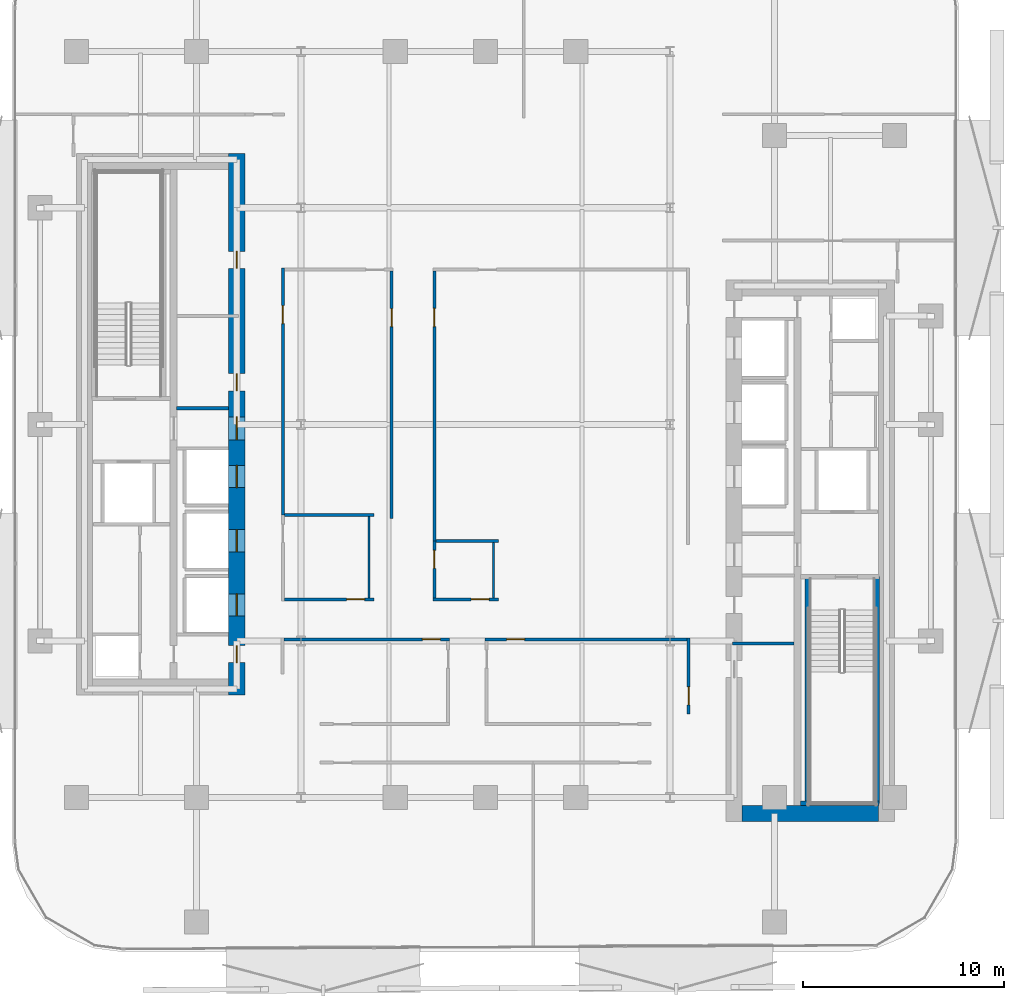
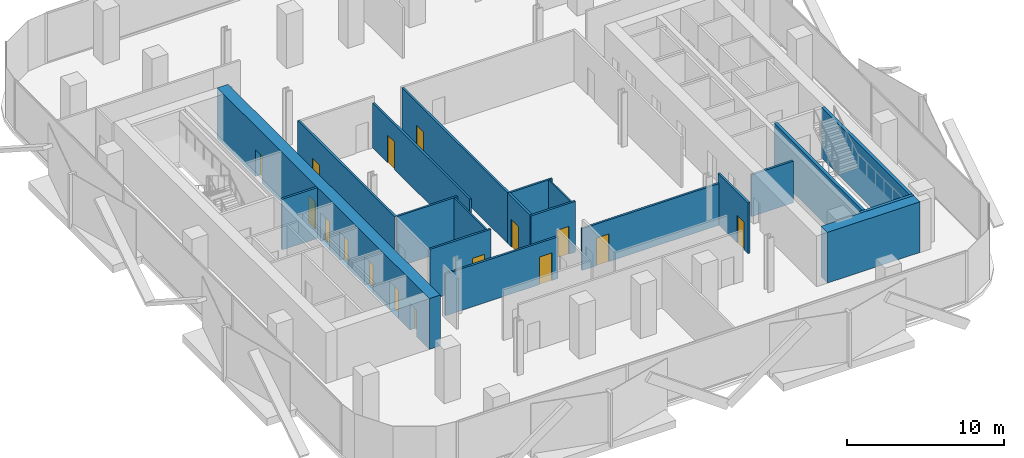
# One storey, part 4 of 15: 20 walls, 16 doors, 16 openings.
"""IFC4 building model written with IfcOpenShell, lengths in metres."""

from ifc_helpers import new_model, si_unit, direction, frame, frame_2d, origin, place, context, subcontext, project, spatial, rectangle, extrude, material, layer, layer_set, type_object, element, fill, save


model = new_model("IFC4")

# Units and contexts
model_context = context("Model", 3, precision=1e-05, world=origin(), true_north=direction((0.0, 1.0)))
body_context = subcontext(model_context, "Body", "Model", "MODEL_VIEW")
ifc_project = project(units=[si_unit("LENGTHUNIT", "METRE"), si_unit("AREAUNIT", "SQUARE_METRE"), si_unit("VOLUMEUNIT", "CUBIC_METRE"), si_unit("PLANEANGLEUNIT", "RADIAN"), si_unit("MASSUNIT", "GRAM", prefix="KILO")], contexts=[model_context])

# Site, building, storey
site_placement = place(None, origin())
site = spatial("IfcSite", under=ifc_project, at=site_placement, CompositionType="ELEMENT")
building_placement = place(site_placement, origin())
building = spatial("IfcBuilding", under=site, at=building_placement, Name="Khairoan Windgate Tower", CompositionType="ELEMENT")
storey_placement = place(building_placement, frame((0.0, 0.0, 105.800048828125)))
storey = spatial("IfcBuildingStorey", under=building, at=storey_placement, Name="L24", CompositionType="ELEMENT", Elevation=105.800048828125)

# Walls
ifc_material_1 = material(Name="Moisture-Resistant Gypsum Partition", Category="gypsum")
ifc_layer_1 = layer(ifc_material_1, 0.10009765625, Name="Moisture-Resistant Gypsum Partition")
ifc_layer_set_1 = layer_set([ifc_layer_1], Name="Moisture-Resistant Gypsum Partition")
wall_type_1 = type_object("IfcWallType", Name="Bathroom Wet-Area Partition Wall", PredefinedType="PARTITIONING", material=ifc_layer_set_1)
wall_1_placement = place(storey_placement, frame((0.39990234375, -5.889892578125, 0.0), z_axis=(0.0, 0.0, 1.0), x_axis=(0.0, -1.0, 0.0)))
element("IfcWall", 1, at=wall_1_placement, inside=storey, type_object=wall_type_1, Name="L24 Wet Room Side Wall 044", PredefinedType="PARTITIONING", context=body_context, shape_type="SweptSolid", body=[
    extrude(rectangle(XDim=2.755126953125, YDim=0.10009765625, at=frame_2d((1.37744140625, 0.0))), origin(), (0.0, 0.0, 1.0), 3.93994140625),
])
wall_2_placement = place(storey_placement, frame((-5.800048828125, -4.590087890625, 0.0), z_axis=(0.0, 0.0, 1.0), x_axis=(0.0, -1.0, 0.0)))
element("IfcWall", 2, at=wall_2_placement, inside=storey, type_object=wall_type_1, Name="L24 Wet Room Side Wall 045", PredefinedType="PARTITIONING", context=body_context, shape_type="SweptSolid", body=[
    extrude(rectangle(XDim=4.054931640625, YDim=0.10009765625, at=frame_2d((2.02734375, 0.0))), origin(), (0.0, 0.0, 1.0), 3.93994140625),
])
ifc_material_2 = material(Name="Concrete C40/50", Category="concrete")
ifc_layer_2 = layer(ifc_material_2, 0.159912109375, Name="Concrete C40/50")
ifc_layer_set_2 = layer_set([ifc_layer_2], Name="Concrete C40/50")
wall_type_2 = type_object("IfcWallType", Name="Core and Hoistway Enclosure Wall", PredefinedType="STANDARD", material=ifc_layer_set_2)
wall_3_placement = place(storey_placement, frame((-15.39990234375, 0.800048828125, 0.0), z_axis=(0.0, 0.0, 1.0), x_axis=(1.0, 0.0, 0.0)))
element("IfcWall", 3, at=wall_3_placement, inside=storey, type_object=wall_type_2, Name="L24 Core Shaft Wall SW-WV1-L24", PredefinedType="STANDARD", context=body_context, shape_type="SweptSolid", body=[
    extrude(rectangle(XDim=2.599853515625, YDim=0.159912109375, at=frame_2d((1.2998046875, 0.0))), origin(), (0.0, 0.0, 1.0), 3.93994140625),
])
ifc_material_3 = material(Name="Acoustic Fire-Rated Gypsum Partition", Category="gypsum")
ifc_layer_3 = layer(ifc_material_3, 0.139892578125, Name="Acoustic Fire-Rated Gypsum Partition")
ifc_layer_set_3 = layer_set([ifc_layer_3], Name="Acoustic Fire-Rated Gypsum Partition")
wall_type_3 = type_object("IfcWallType", Name="Inter-Tenancy Compartment Wall", PredefinedType="PARTITIONING", material=ifc_layer_set_3)
wall_4_placement = place(storey_placement, frame((-2.469970703125, -5.820068359375, 0.0), z_axis=(0.0, 0.0, 1.0), x_axis=(1.0, 0.0, 0.0)))
element("IfcWall", 4, at=wall_4_placement, inside=storey, type_object=wall_type_3, Name="L24 Interior Partition 041", PredefinedType="PARTITIONING", context=body_context, shape_type="SweptSolid", body=[
    extrude(rectangle(XDim=3.10986328125, YDim=0.139892578125, at=frame_2d((1.554931640625, 0.0))), origin(), (0.0, 0.0, 1.0), 3.93994140625),
])
wall_5_placement = place(storey_placement, frame((-10.02490234375, -4.52001953125, 0.0), z_axis=(0.0, 0.0, 1.0), x_axis=(1.0, 0.0, 0.0)))
element("IfcWall", 5, at=wall_5_placement, inside=storey, type_object=wall_type_3, Name="L24 Interior Partition 042", PredefinedType="PARTITIONING", context=body_context, shape_type="SweptSolid", body=[
    extrude(rectangle(XDim=4.46484375, YDim=0.139892578125, at=frame_2d((2.232421875, 0.0))), origin(), (0.0, 0.0, 1.0), 3.93994140625),
])
ifc_material_4 = material(Name="Concrete C40/50", Category="concrete")
ifc_layer_4 = layer(ifc_material_4, 0.159912109375, Name="Concrete C40/50")
ifc_layer_set_4 = layer_set([ifc_layer_4], Name="Concrete C40/50")
wall_type_4 = type_object("IfcWallType", Name="Plant and Refuge Compartment Wall", PredefinedType="PARTITIONING", material=ifc_layer_set_4)
wall_6_placement = place(storey_placement, frame((12.31005859375, -10.919921875, 0.0), z_axis=(0.0, 0.0, 1.0), x_axis=(1.0, 0.0, 0.0)))
element("IfcWall", 6, at=wall_6_placement, inside=storey, type_object=wall_type_4, Name="L24 Interior Partition 010", PredefinedType="PARTITIONING", context=body_context, shape_type="SweptSolid", body=[
    extrude(rectangle(XDim=3.06494140625, YDim=0.159912109375, at=frame_2d((1.532470703125, 0.0))), origin(), (0.0, 0.0, 1.0), 3.239990234375),
])

# Wall, opening, door
ifc_material_5 = material(Name="Acoustic Fire-Rated Gypsum Partition", Category="gypsum")
ifc_layer_5 = layer(ifc_material_5, 0.14990234375, Name="Acoustic Fire-Rated Gypsum Partition")
ifc_layer_set_5 = layer_set([ifc_layer_5], Name="Acoustic Fire-Rated Gypsum Partition")
wall_type_5 = type_object("IfcWallType", Name="Rated Corridor Partition Wall", PredefinedType="PARTITIONING", material=ifc_layer_set_5)
wall_7_placement = place(storey_placement, frame((-10.10009765625, -4.52001953125, 0.0), z_axis=(0.0, 0.0, 1.0), x_axis=(0.0, 1.0, 0.0)))
wall_7 = element("IfcWall", 7, at=wall_7_placement, inside=storey, type_object=wall_type_5, Name="L24 Interior Partition 013", PredefinedType="PARTITIONING", context=body_context, shape_type="SweptSolid", body=[
    extrude(rectangle(XDim=12.31494140625, YDim=0.14990234375, at=frame_2d((6.157470703125, 0.0))), origin(), (0.0, 0.0, 1.0), 3.93994140625),
])
opening_1_placement = place(wall_7_placement, frame((9.542236328125, 0.0, 0.0)))
opening_1 = element("IfcOpeningElement", 8, at=opening_1_placement, cuts=wall_7, Name="Opening FD-ENT", PredefinedType="OPENING", context=body_context, shape_type="SweptSolid", body=[
    extrude(rectangle(XDim=0.89990234375, YDim=2.14990234375, at=frame_2d((0.449951171875, 1.074951171875))), frame((0.0, 0.0849609375, 0.0), z_axis=(0.0, -1.0, 0.0), x_axis=(1.0, 0.0, 0.0)), (0.0, 0.0, 1.0), 0.169921875),
])
ifc_material_6 = material(Name="Timber Fire-Rated Core", Category="wood")
door_type_1 = type_object("IfcDoorType", Name="Unit and Office Fire Entrance Door FD-ENT 900x2150", OperationType="NOTDEFINED", PredefinedType="DOOR", material=ifc_material_6)
door_1_placement = place(opening_1_placement, origin())
door_1 = element("IfcDoor", 9, at=door_1_placement, inside=storey, type_object=door_type_1, Name="L24 L24-28-L24-47 Door", OperationType="SINGLE_SWING_LEFT", OverallHeight=2.14990234375, OverallWidth=0.89990234375, PredefinedType="DOOR", context=body_context, shape_type="SweptSolid", body=[
    extrude(rectangle(XDim=0.89990234375, YDim=2.14990234375, at=frame_2d((0.449951171875, 1.074951171875))), frame((0.0, 0.02490234375, 0.0), z_axis=(0.0, -1.0, 0.0), x_axis=(1.0, 0.0, 0.0)), (0.0, 0.0, 1.0), 0.050048828125),
])
fill(opening_1, door_1)

wall_8_placement = place(storey_placement, frame((10.125, -14.43994140625, 0.0), z_axis=(0.0, 0.0, 1.0), x_axis=(0.0, 1.0, 0.0)))
wall_8 = element("IfcWall", 10, at=wall_8_placement, inside=storey, type_object=wall_type_5, Name="L24 Interior Partition 016", PredefinedType="PARTITIONING", context=body_context, shape_type="SweptSolid", body=[
    extrude(rectangle(XDim=3.800048828125, YDim=0.14990234375, at=frame_2d((1.89990234375, 0.0))), origin(), (0.0, 0.0, 1.0), 3.93994140625),
])
opening_2_placement = place(wall_8_placement, frame((0.4599609375, 0.0, 0.0)))
opening_2 = element("IfcOpeningElement", 11, at=opening_2_placement, cuts=wall_8, Name="Opening FD-ENT", PredefinedType="OPENING", context=body_context, shape_type="SweptSolid", body=[
    extrude(rectangle(XDim=0.89990234375, YDim=2.14990234375, at=frame_2d((0.449951171875, 1.074951171875))), frame((0.0, 0.0849609375, 0.0), z_axis=(0.0, -1.0, 0.0), x_axis=(1.0, 0.0, 0.0)), (0.0, 0.0, 1.0), 0.169921875),
])
door_2_placement = place(opening_2_placement, origin())
door_2 = element("IfcDoor", 12, at=door_2_placement, inside=storey, type_object=door_type_1, Name="L24 L24-29-L24-49 Door", OperationType="SINGLE_SWING_RIGHT", OverallHeight=2.14990234375, OverallWidth=0.89990234375, PredefinedType="DOOR", context=body_context, shape_type="SweptSolid", body=[
    extrude(rectangle(XDim=0.89990234375, YDim=2.14990234375, at=frame_2d((0.449951171875, 1.074951171875))), frame((0.0, 0.02490234375, 0.0), z_axis=(0.0, -1.0, 0.0), x_axis=(1.0, 0.0, 0.0)), (0.0, 0.0, 1.0), 0.050048828125),
])
fill(opening_2, door_2)

wall_9_placement = place(storey_placement, frame((-2.6201171875, -8.719970703125, 0.0), z_axis=(0.0, 0.0, 1.0), x_axis=(1.0, 0.0, 0.0)))
wall_9 = element("IfcWall", 13, at=wall_9_placement, inside=storey, type_object=wall_type_5, Name="L24 Interior Partition 019", PredefinedType="PARTITIONING", context=body_context, shape_type="SweptSolid", body=[
    extrude(rectangle(XDim=3.260009765625, YDim=0.14990234375, at=frame_2d((1.6298828125, 0.0))), origin(), (0.0, 0.0, 1.0), 3.93994140625),
])
opening_3_placement = place(wall_9_placement, frame((1.89990234375, 0.0, 0.0)))
opening_3 = element("IfcOpeningElement", 14, at=opening_3_placement, cuts=wall_9, Name="Opening FD-ENT", PredefinedType="OPENING", context=body_context, shape_type="SweptSolid", body=[
    extrude(rectangle(XDim=0.89990234375, YDim=2.14990234375, at=frame_2d((0.449951171875, 1.074951171875))), frame((0.0, 0.0849609375, 0.0), z_axis=(0.0, -1.0, 0.0), x_axis=(1.0, 0.0, 0.0)), (0.0, 0.0, 1.0), 0.169921875),
])
door_3_placement = place(opening_3_placement, origin())
door_3 = element("IfcDoor", 15, at=door_3_placement, inside=storey, type_object=door_type_1, Name="L24 L24-31-L24-44 Door", OperationType="SINGLE_SWING_LEFT", OverallHeight=2.14990234375, OverallWidth=0.89990234375, PredefinedType="DOOR", context=body_context, shape_type="SweptSolid", body=[
    extrude(rectangle(XDim=0.89990234375, YDim=2.14990234375, at=frame_2d((0.449951171875, 1.074951171875))), frame((0.0, 0.02490234375, 0.0), z_axis=(0.0, -1.0, 0.0), x_axis=(1.0, 0.0, 0.0)), (0.0, 0.0, 1.0), 0.050048828125),
])
fill(opening_3, door_3)

wall_10_placement = place(storey_placement, frame((-10.02490234375, -8.719970703125, 0.0), z_axis=(0.0, 0.0, 1.0), x_axis=(1.0, 0.0, 0.0)))
wall_10 = element("IfcWall", 16, at=wall_10_placement, inside=storey, type_object=wall_type_5, Name="L24 Interior Partition 020", PredefinedType="PARTITIONING", context=body_context, shape_type="SweptSolid", body=[
    extrude(rectangle(XDim=4.46484375, YDim=0.14990234375, at=frame_2d((2.232421875, 0.0))), origin(), (0.0, 0.0, 1.0), 3.93994140625),
])
opening_4_placement = place(wall_10_placement, frame((3.10498046875, 0.0, 0.0)))
opening_4 = element("IfcOpeningElement", 17, at=opening_4_placement, cuts=wall_10, Name="Opening FD-ENT", PredefinedType="OPENING", context=body_context, shape_type="SweptSolid", body=[
    extrude(rectangle(XDim=0.89990234375, YDim=2.14990234375, at=frame_2d((0.449951171875, 1.074951171875))), frame((0.0, 0.0849609375, 0.0), z_axis=(0.0, -1.0, 0.0), x_axis=(1.0, 0.0, 0.0)), (0.0, 0.0, 1.0), 0.169921875),
])
door_4_placement = place(opening_4_placement, origin())
door_4 = element("IfcDoor", 18, at=door_4_placement, inside=storey, type_object=door_type_1, Name="L24 L24-31-L24-46 Door", OperationType="SINGLE_SWING_RIGHT", OverallHeight=2.14990234375, OverallWidth=0.89990234375, PredefinedType="DOOR", context=body_context, shape_type="SweptSolid", body=[
    extrude(rectangle(XDim=0.89990234375, YDim=2.14990234375, at=frame_2d((0.449951171875, 1.074951171875))), frame((0.0, 0.02490234375, 0.0), z_axis=(0.0, -1.0, 0.0), x_axis=(1.0, 0.0, 0.0)), (0.0, 0.0, 1.0), 0.050048828125),
])
fill(opening_4, door_4)

wall_11_placement = place(storey_placement, frame((-10.050048828125, -10.715087890625, 0.0), z_axis=(0.0, 0.0, 1.0), x_axis=(1.0, 0.0, 0.0)))
wall_11 = element("IfcWall", 19, at=wall_11_placement, inside=storey, type_object=wall_type_5, Name="L24 Interior Partition 021", PredefinedType="PARTITIONING", context=body_context, shape_type="SweptSolid", body=[
    extrude(rectangle(XDim=8.26513671875, YDim=0.14990234375, at=frame_2d((4.132568359375, 0.0))), origin(), (0.0, 0.0, 1.0), 3.239990234375),
])
opening_5_placement = place(wall_11_placement, frame((6.905029296875, 0.0, 0.0)))
opening_5 = element("IfcOpeningElement", 20, at=opening_5_placement, cuts=wall_11, Name="Opening FD-ENT", PredefinedType="OPENING", context=body_context, shape_type="SweptSolid", body=[
    extrude(rectangle(XDim=0.89990234375, YDim=2.14990234375, at=frame_2d((0.449951171875, 1.074951171875))), frame((0.0, 0.0849609375, 0.0), z_axis=(0.0, -1.0, 0.0), x_axis=(1.0, 0.0, 0.0)), (0.0, 0.0, 1.0), 0.169921875),
])
door_5_placement = place(opening_5_placement, origin())
door_5 = element("IfcDoor", 21, at=door_5_placement, inside=storey, type_object=door_type_1, Name="L24 L24-31-L24-48 Door", OperationType="SINGLE_SWING_LEFT", OverallHeight=2.14990234375, OverallWidth=0.89990234375, PredefinedType="DOOR", context=body_context, shape_type="SweptSolid", body=[
    extrude(rectangle(XDim=0.89990234375, YDim=2.14990234375, at=frame_2d((0.449951171875, 1.074951171875))), frame((0.0, 0.02490234375, 0.0), z_axis=(0.0, -1.0, 0.0), x_axis=(1.0, 0.0, 0.0)), (0.0, 0.0, 1.0), 0.050048828125),
])
fill(opening_5, door_5)

wall_12_placement = place(storey_placement, frame((-0.014892578125, -10.715087890625, 0.0), z_axis=(0.0, 0.0, 1.0), x_axis=(1.0, 0.0, 0.0)))
wall_12 = element("IfcWall", 22, at=wall_12_placement, inside=storey, type_object=wall_type_5, Name="L24 Interior Partition 022", PredefinedType="PARTITIONING", context=body_context, shape_type="SweptSolid", body=[
    extrude(rectangle(XDim=10.06494140625, YDim=0.14990234375, at=frame_2d((5.032470703125, 0.0))), origin(), (0.0, 0.0, 1.0), 3.239990234375),
])
opening_6_placement = place(wall_12_placement, frame((1.063232421875, 0.0, 0.0)))
opening_6 = element("IfcOpeningElement", 23, at=opening_6_placement, cuts=wall_12, Name="Opening FD-ENT", PredefinedType="OPENING", context=body_context, shape_type="SweptSolid", body=[
    extrude(rectangle(XDim=0.89990234375, YDim=2.14990234375, at=frame_2d((0.449951171875, 1.074951171875))), frame((0.0, 0.0849609375, 0.0), z_axis=(0.0, -1.0, 0.0), x_axis=(1.0, 0.0, 0.0)), (0.0, 0.0, 1.0), 0.169921875),
])
door_6_placement = place(opening_6_placement, origin())
door_6 = element("IfcDoor", 24, at=door_6_placement, inside=storey, type_object=door_type_1, Name="L24 L24-31-L24-49 Door", OperationType="SINGLE_SWING_RIGHT", OverallHeight=2.14990234375, OverallWidth=0.89990234375, PredefinedType="DOOR", context=body_context, shape_type="SweptSolid", body=[
    extrude(rectangle(XDim=0.89990234375, YDim=2.14990234375, at=frame_2d((0.449951171875, 1.074951171875))), frame((0.0, 0.02490234375, 0.0), z_axis=(0.0, -1.0, 0.0), x_axis=(1.0, 0.0, 0.0)), (0.0, 0.0, 1.0), 0.050048828125),
])
fill(opening_6, door_6)

wall_13_placement = place(storey_placement, frame((-2.544921875, -8.64501953125, 0.0), z_axis=(0.0, 0.0, 1.0), x_axis=(0.0, 1.0, 0.0)))
wall_13 = element("IfcWall", 25, at=wall_13_placement, inside=storey, type_object=wall_type_5, Name="L24 Interior Partition 023", PredefinedType="PARTITIONING", context=body_context, shape_type="SweptSolid", body=[
    extrude(rectangle(XDim=2.824951171875, YDim=0.14990234375, at=frame_2d((1.41259765625, 0.0))), origin(), (0.0, 0.0, 1.0), 3.93994140625),
])
opening_7_placement = place(wall_13_placement, frame((1.465087890625, 0.0, 0.0)))
opening_7 = element("IfcOpeningElement", 26, at=opening_7_placement, cuts=wall_13, Name="Opening FD-ENT", PredefinedType="OPENING", context=body_context, shape_type="SweptSolid", body=[
    extrude(rectangle(XDim=0.89990234375, YDim=2.14990234375, at=frame_2d((0.449951171875, 1.074951171875))), frame((0.0, 0.0849609375, 0.0), z_axis=(0.0, -1.0, 0.0), x_axis=(1.0, 0.0, 0.0)), (0.0, 0.0, 1.0), 0.169921875),
])
door_7_placement = place(opening_7_placement, origin())
door_7 = element("IfcDoor", 27, at=door_7_placement, inside=storey, type_object=door_type_1, Name="L24 L24-32-L24-44 Door", OperationType="SINGLE_SWING_LEFT", OverallHeight=2.14990234375, OverallWidth=0.89990234375, PredefinedType="DOOR", context=body_context, shape_type="SweptSolid", body=[
    extrude(rectangle(XDim=0.89990234375, YDim=2.14990234375, at=frame_2d((0.449951171875, 1.074951171875))), frame((0.0, 0.02490234375, 0.0), z_axis=(0.0, -1.0, 0.0), x_axis=(1.0, 0.0, 0.0)), (0.0, 0.0, 1.0), 0.050048828125),
])
fill(opening_7, door_7)

wall_14_placement = place(storey_placement, frame((-2.544921875, -5.820068359375, 0.0), z_axis=(0.0, 0.0, 1.0), x_axis=(0.0, 1.0, 0.0)))
wall_14 = element("IfcWall", 28, at=wall_14_placement, inside=storey, type_object=wall_type_5, Name="L24 Interior Partition 024", PredefinedType="PARTITIONING", context=body_context, shape_type="SweptSolid", body=[
    extrude(rectangle(XDim=13.465087890625, YDim=0.14990234375, at=frame_2d((6.732421875, 0.0))), origin(), (0.0, 0.0, 1.0), 3.93994140625),
])
opening_8_placement = place(wall_14_placement, frame((10.69970703125, 0.0, 0.0)))
opening_8 = element("IfcOpeningElement", 29, at=opening_8_placement, cuts=wall_14, Name="Opening FD-ENT", PredefinedType="OPENING", context=body_context, shape_type="SweptSolid", body=[
    extrude(rectangle(XDim=0.89990234375, YDim=2.14990234375, at=frame_2d((0.449951171875, 1.074951171875))), frame((0.0, 0.0849609375, 0.0), z_axis=(0.0, -1.0, 0.0), x_axis=(1.0, 0.0, 0.0)), (0.0, 0.0, 1.0), 0.169921875),
])
door_8_placement = place(opening_8_placement, origin())
door_8 = element("IfcDoor", 30, at=door_8_placement, inside=storey, type_object=door_type_1, Name="L24 L24-32-L24-45 Door", OperationType="SINGLE_SWING_RIGHT", OverallHeight=2.14990234375, OverallWidth=0.89990234375, PredefinedType="DOOR", context=body_context, shape_type="SweptSolid", body=[
    extrude(rectangle(XDim=0.89990234375, YDim=2.14990234375, at=frame_2d((0.449951171875, 1.074951171875))), frame((0.0, 0.02490234375, 0.0), z_axis=(0.0, -1.0, 0.0), x_axis=(1.0, 0.0, 0.0)), (0.0, 0.0, 1.0), 0.050048828125),
])
fill(opening_8, door_8)

wall_15_placement = place(storey_placement, frame((-4.679931640625, -4.679931640625, 0.0), z_axis=(0.0, 0.0, 1.0), x_axis=(0.0, 1.0, 0.0)))
wall_15 = element("IfcWall", 31, at=wall_15_placement, inside=storey, type_object=wall_type_5, Name="L24 Interior Partition 025", PredefinedType="PARTITIONING", context=body_context, shape_type="SweptSolid", body=[
    extrude(rectangle(XDim=12.324951171875, YDim=0.14990234375, at=frame_2d((6.16259765625, 0.0))), origin(), (0.0, 0.0, 1.0), 3.489990234375),
])
opening_9_placement = place(wall_15_placement, frame((9.55078125, 0.0, 0.0)))
opening_9 = element("IfcOpeningElement", 32, at=opening_9_placement, cuts=wall_15, Name="Opening FD-ENT", PredefinedType="OPENING", context=body_context, shape_type="SweptSolid", body=[
    extrude(rectangle(XDim=0.89990234375, YDim=2.14990234375, at=frame_2d((0.449951171875, 1.074951171875))), frame((0.0, 0.0849609375, 0.0), z_axis=(0.0, -1.0, 0.0), x_axis=(1.0, 0.0, 0.0)), (0.0, 0.0, 1.0), 0.169921875),
])
door_9_placement = place(opening_9_placement, origin())
door_9 = element("IfcDoor", 33, at=door_9_placement, inside=storey, type_object=door_type_1, Name="L24 L24-32-L24-47 Door", OperationType="SINGLE_SWING_LEFT", OverallHeight=2.14990234375, OverallWidth=0.89990234375, PredefinedType="DOOR", context=body_context, shape_type="SweptSolid", body=[
    extrude(rectangle(XDim=0.89990234375, YDim=2.14990234375, at=frame_2d((0.449951171875, 1.074951171875))), frame((0.0, 0.02490234375, 0.0), z_axis=(0.0, -1.0, 0.0), x_axis=(1.0, 0.0, 0.0)), (0.0, 0.0, 1.0), 0.050048828125),
])
fill(opening_9, door_9)

# Wall
ifc_material_7 = material(Name="Concrete C70/85", Category="concrete")
ifc_layer_6 = layer(ifc_material_7, 0.800048828125, Name="Concrete C70/85")
ifc_layer_set_6 = layer_set([ifc_layer_6], Name="Concrete C70/85")
wall_type_6 = type_object("IfcWallType", Name="Shear Wall CW-E1 800mm", PredefinedType="SHEAR", material=ifc_layer_set_6)
wall_16_placement = place(storey_placement, frame((12.800048828125, -19.39990234375, 0.0), z_axis=(0.0, 0.0, 1.0), x_axis=(1.0, 0.0, 0.0)))
element("IfcWall", 34, at=wall_16_placement, inside=storey, type_object=wall_type_6, Name="E Core South Shear Wall L24", PredefinedType="SHEAR", context=body_context, shape_type="SweptSolid", body=[
    extrude(rectangle(XDim=6.800048828125, YDim=0.800048828125, at=frame_2d((3.39990234375, 0.0))), origin(), (0.0, 0.0, 1.0), 3.93994140625),
])

# Wall, openings, doors
ifc_material_8 = material(Name="Concrete C70/85", Category="concrete")
ifc_layer_7 = layer(ifc_material_8, 0.800048828125, Name="Concrete C70/85")
ifc_layer_set_7 = layer_set([ifc_layer_7], Name="Concrete C70/85")
wall_type_7 = type_object("IfcWallType", Name="Shear Wall CW-W1 800mm", PredefinedType="SHEAR", material=ifc_layer_set_7)
wall_17_placement = place(storey_placement, frame((-12.39990234375, -13.5, 0.0), z_axis=(0.0, 0.0, 1.0), x_axis=(0.0, 1.0, 0.0)))
wall_17 = element("IfcWall", 35, at=wall_17_placement, inside=storey, type_object=wall_type_7, Name="W Core East Shear Wall L24", PredefinedType="SHEAR", context=body_context, shape_type="SweptSolid", body=[
    extrude(rectangle(XDim=27.0, YDim=0.800048828125, at=frame_2d((13.5, 0.0))), origin(), (0.0, 0.0, 1.0), 3.93994140625),
])
opening_10_placement = place(wall_17_placement, frame((10.35009765625, 0.0, 0.0)))
opening_10 = element("IfcOpeningElement", 36, at=opening_10_placement, cuts=wall_17, Name="Opening LD-PL", PredefinedType="OPENING", context=body_context, shape_type="SweptSolid", body=[
    extrude(rectangle(XDim=1.10009765625, YDim=2.199951171875, at=frame_2d((0.550048828125, 1.10009765625))), frame((0.0, 0.409912109375, 0.0), z_axis=(0.0, -1.0, 0.0), x_axis=(1.0, 0.0, 0.0)), (0.0, 0.0, 1.0), 0.820068359375),
])
opening_11_placement = place(wall_17_placement, frame((7.14990234375, 0.0, 0.0)))
opening_11 = element("IfcOpeningElement", 37, at=opening_11_placement, cuts=wall_17, Name="Opening LD-PL", PredefinedType="OPENING", context=body_context, shape_type="SweptSolid", body=[
    extrude(rectangle(XDim=1.10009765625, YDim=2.199951171875, at=frame_2d((0.550048828125, 1.10009765625))), frame((0.0, 0.409912109375, 0.0), z_axis=(0.0, -1.0, 0.0), x_axis=(1.0, 0.0, 0.0)), (0.0, 0.0, 1.0), 0.820068359375),
])
opening_12_placement = place(wall_17_placement, frame((3.949951171875, 0.0, 0.0)))
opening_12 = element("IfcOpeningElement", 38, at=opening_12_placement, cuts=wall_17, Name="Opening LD-PL", PredefinedType="OPENING", context=body_context, shape_type="SweptSolid", body=[
    extrude(rectangle(XDim=1.10009765625, YDim=2.199951171875, at=frame_2d((0.550048828125, 1.10009765625))), frame((0.0, 0.409912109375, 0.0), z_axis=(0.0, -1.0, 0.0), x_axis=(1.0, 0.0, 0.0)), (0.0, 0.0, 1.0), 0.820068359375),
])
opening_13_placement = place(wall_17_placement, frame((15.175048828125, 0.0, 0.0)))
opening_13 = element("IfcOpeningElement", 39, at=opening_13_placement, cuts=wall_17, Name="Opening FD-SRV", PredefinedType="OPENING", context=body_context, shape_type="SweptSolid", body=[
    extrude(rectangle(XDim=0.85009765625, YDim=2.10009765625, at=frame_2d((0.425048828125, 1.050048828125))), frame((0.0, 0.409912109375, 0.0), z_axis=(0.0, -1.0, 0.0), x_axis=(1.0, 0.0, 0.0)), (0.0, 0.0, 1.0), 0.820068359375),
])
opening_14_placement = place(wall_17_placement, frame((21.27490234375, 0.0, 0.0)))
opening_14 = element("IfcOpeningElement", 40, at=opening_14_placement, cuts=wall_17, Name="Opening FD-SRV", PredefinedType="OPENING", context=body_context, shape_type="SweptSolid", body=[
    extrude(rectangle(XDim=0.85009765625, YDim=2.10009765625, at=frame_2d((0.425048828125, 1.050048828125))), frame((0.0, 0.409912109375, 0.0), z_axis=(0.0, -1.0, 0.0), x_axis=(1.0, 0.0, 0.0)), (0.0, 0.0, 1.0), 0.820068359375),
])
opening_15_placement = place(wall_17_placement, frame((12.72509765625, 0.0, 0.0)))
opening_15 = element("IfcOpeningElement", 41, at=opening_15_placement, cuts=wall_17, Name="Opening FD-FFL", PredefinedType="OPENING", context=body_context, shape_type="SweptSolid", body=[
    extrude(rectangle(XDim=1.14990234375, YDim=2.199951171875, at=frame_2d((0.574951171875, 1.10009765625))), frame((0.0, 0.409912109375, 0.0), z_axis=(0.0, -1.0, 0.0), x_axis=(1.0, 0.0, 0.0)), (0.0, 0.0, 1.0), 0.820068359375),
])
opening_16_placement = place(wall_17_placement, frame((1.625, 0.0, 0.0)))
opening_16 = element("IfcOpeningElement", 42, at=opening_16_placement, cuts=wall_17, Name="Opening FD-SRV", PredefinedType="OPENING", context=body_context, shape_type="SweptSolid", body=[
    extrude(rectangle(XDim=0.85009765625, YDim=2.10009765625, at=frame_2d((0.425048828125, 1.050048828125))), frame((0.0, 0.409912109375, 0.0), z_axis=(0.0, -1.0, 0.0), x_axis=(1.0, 0.0, 0.0)), (0.0, 0.0, 1.0), 0.820068359375),
])
ifc_material_9 = material(Name="Steel S355", Category="steel")
door_type_2 = type_object("IfcDoorType", Name="Core Service and Riser Fire Door FD-SRV 850x2100", OperationType="NOTDEFINED", PredefinedType="DOOR", material=ifc_material_9)
door_10_placement = place(opening_13_placement, origin())
door_10 = element("IfcDoor", 43, at=door_10_placement, inside=storey, type_object=door_type_2, Name="L24 Upper Core Room Door B1-1", OperationType="SINGLE_SWING_RIGHT", OverallHeight=2.10009765625, OverallWidth=0.85009765625, PredefinedType="DOOR", context=body_context, shape_type="SweptSolid", body=[
    extrude(rectangle(XDim=0.85009765625, YDim=2.10009765625, at=frame_2d((0.425048828125, 1.050048828125))), frame((0.0, 0.02490234375, 0.0), z_axis=(0.0, -1.0, 0.0), x_axis=(1.0, 0.0, 0.0)), (0.0, 0.0, 1.0), 0.050048828125),
])
fill(opening_13, door_10)
door_11_placement = place(opening_14_placement, origin())
door_11 = element("IfcDoor", 44, at=door_11_placement, inside=storey, type_object=door_type_2, Name="L24 Upper Core Room Door B1-2", OperationType="SINGLE_SWING_LEFT", OverallHeight=2.10009765625, OverallWidth=0.85009765625, PredefinedType="DOOR", context=body_context, shape_type="SweptSolid", body=[
    extrude(rectangle(XDim=0.85009765625, YDim=2.10009765625, at=frame_2d((0.425048828125, 1.050048828125))), frame((0.0, 0.02490234375, 0.0), z_axis=(0.0, -1.0, 0.0), x_axis=(1.0, 0.0, 0.0)), (0.0, 0.0, 1.0), 0.050048828125),
])
fill(opening_14, door_11)
door_12_placement = place(opening_16_placement, origin())
door_12 = element("IfcDoor", 45, at=door_12_placement, inside=storey, type_object=door_type_2, Name="L24 West Core Service Vestibule Outer Door", OperationType="SINGLE_SWING_RIGHT", OverallHeight=2.10009765625, OverallWidth=0.85009765625, PredefinedType="DOOR", context=body_context, shape_type="SweptSolid", body=[
    extrude(rectangle(XDim=0.85009765625, YDim=2.10009765625, at=frame_2d((0.425048828125, 1.050048828125))), frame((0.0, 0.02490234375, 0.0), z_axis=(0.0, -1.0, 0.0), x_axis=(1.0, 0.0, 0.0)), (0.0, 0.0, 1.0), 0.050048828125),
])
fill(opening_16, door_12)
ifc_material_10 = material(Name="Steel S355", Category="steel")
door_type_3 = type_object("IfcDoorType", Name="Firefighting Lobby Fire Door FD-FFL 1150x2200", OperationType="NOTDEFINED", PredefinedType="DOOR", material=ifc_material_10)
door_13_placement = place(opening_15_placement, origin())
door_13 = element("IfcDoor", 46, at=door_13_placement, inside=storey, type_object=door_type_3, Name="L24 West Core Vestibule Entry Door", OperationType="SINGLE_SWING_RIGHT", OverallHeight=2.199951171875, OverallWidth=1.14990234375, PredefinedType="DOOR", context=body_context, shape_type="SweptSolid", body=[
    extrude(rectangle(XDim=1.14990234375, YDim=2.199951171875, at=frame_2d((0.574951171875, 1.10009765625))), frame((0.0, 0.02490234375, 0.0), z_axis=(0.0, -1.0, 0.0), x_axis=(1.0, 0.0, 0.0)), (0.0, 0.0, 1.0), 0.050048828125),
])
fill(opening_15, door_13)
ifc_material_11 = material(Name="Anodised Bronze Aluminium 6063-T6", Category="aluminium")
door_type_4 = type_object("IfcDoorType", Name="Passenger Lift Sliding Landing Door LD-PL 1100x2200", OperationType="DOUBLE_DOOR_SLIDING", PredefinedType="DOOR", material=ifc_material_11)
door_14_placement = place(opening_10_placement, origin())
door_14 = element("IfcDoor", 47, at=door_14_placement, inside=storey, type_object=door_type_4, Name="L24 Lift PL4 Sliding Landing Door", OperationType="DOUBLE_DOOR_SLIDING", OverallHeight=2.199951171875, OverallWidth=1.10009765625, PredefinedType="DOOR", context=body_context, shape_type="SweptSolid", body=[
    extrude(rectangle(XDim=1.10009765625, YDim=2.199951171875, at=frame_2d((0.550048828125, 1.10009765625))), frame((0.0, 0.02490234375, 0.0), z_axis=(0.0, -1.0, 0.0), x_axis=(1.0, 0.0, 0.0)), (0.0, 0.0, 1.0), 0.050048828125),
])
fill(opening_10, door_14)
door_15_placement = place(opening_11_placement, origin())
door_15 = element("IfcDoor", 48, at=door_15_placement, inside=storey, type_object=door_type_4, Name="L24 Lift PL5 Sliding Landing Door", OperationType="DOUBLE_DOOR_SLIDING", OverallHeight=2.199951171875, OverallWidth=1.10009765625, PredefinedType="DOOR", context=body_context, shape_type="SweptSolid", body=[
    extrude(rectangle(XDim=1.10009765625, YDim=2.199951171875, at=frame_2d((0.550048828125, 1.10009765625))), frame((0.0, 0.02490234375, 0.0), z_axis=(0.0, -1.0, 0.0), x_axis=(1.0, 0.0, 0.0)), (0.0, 0.0, 1.0), 0.050048828125),
])
fill(opening_11, door_15)
door_16_placement = place(opening_12_placement, origin())
door_16 = element("IfcDoor", 49, at=door_16_placement, inside=storey, type_object=door_type_4, Name="L24 Lift PL6 Sliding Landing Door", OperationType="DOUBLE_DOOR_SLIDING", OverallHeight=2.199951171875, OverallWidth=1.10009765625, PredefinedType="DOOR", context=body_context, shape_type="SweptSolid", body=[
    extrude(rectangle(XDim=1.10009765625, YDim=2.199951171875, at=frame_2d((0.550048828125, 1.10009765625))), frame((0.0, 0.02490234375, 0.0), z_axis=(0.0, -1.0, 0.0), x_axis=(1.0, 0.0, 0.0)), (0.0, 0.0, 1.0), 0.050048828125),
])
fill(opening_12, door_16)

# Walls
ifc_material_12 = material(Name="Concrete C50/60", Category="concrete")
ifc_layer_8 = layer(ifc_material_12, 0.219970703125, Name="Concrete C50/60")
ifc_layer_set_8 = layer_set([ifc_layer_8], Name="Concrete C50/60")
wall_type_8 = type_object("IfcWallType", Name="Shear Wall SW-ST 220mm", PredefinedType="SHEAR", material=ifc_layer_set_8)
for number, where, z_axis, x_axis, name in (
    (50, (16.0400390625, -18.889892578125, 0.0), (0.0, 0.0, 1.0), (0.0, 1.0, 0.0), "L24 Stair ST1 West Bearing Wall"),
    (51, (19.530029296875, -18.889892578125, 0.0), (0.0, 0.0, 1.0), (0.0, 1.0, 0.0), "L24 Stair ST1 East Bearing Wall"),
):
    element("IfcWall", number, at=place(storey_placement, frame(where, z_axis=z_axis, x_axis=x_axis)), inside=storey, type_object=wall_type_8, Name=name, PredefinedType="SHEAR", context=body_context, shape_type="SweptSolid", body=[
        extrude(rectangle(XDim=11.2998046875, YDim=0.219970703125, at=frame_2d((5.64990234375, 0.0))), origin(), (0.0, 0.0, 1.0), 3.93994140625),
    ])
wall_18_placement = place(storey_placement, frame((15.705078125, -18.889892578125, 0.0), z_axis=(0.0, 0.0, 1.0), x_axis=(1.0, 0.0, 0.0)))
element("IfcWall", 52, at=wall_18_placement, inside=storey, type_object=wall_type_8, Name="L24 Stair ST1 South Bearing Wall", PredefinedType="SHEAR", context=body_context, shape_type="SweptSolid", body=[
    extrude(rectangle(XDim=3.9150390625, YDim=0.219970703125, at=frame_2d((1.95751953125, 0.0))), origin(), (0.0, 0.0, 1.0), 3.93994140625),
])

save(model, "model.ifc")
